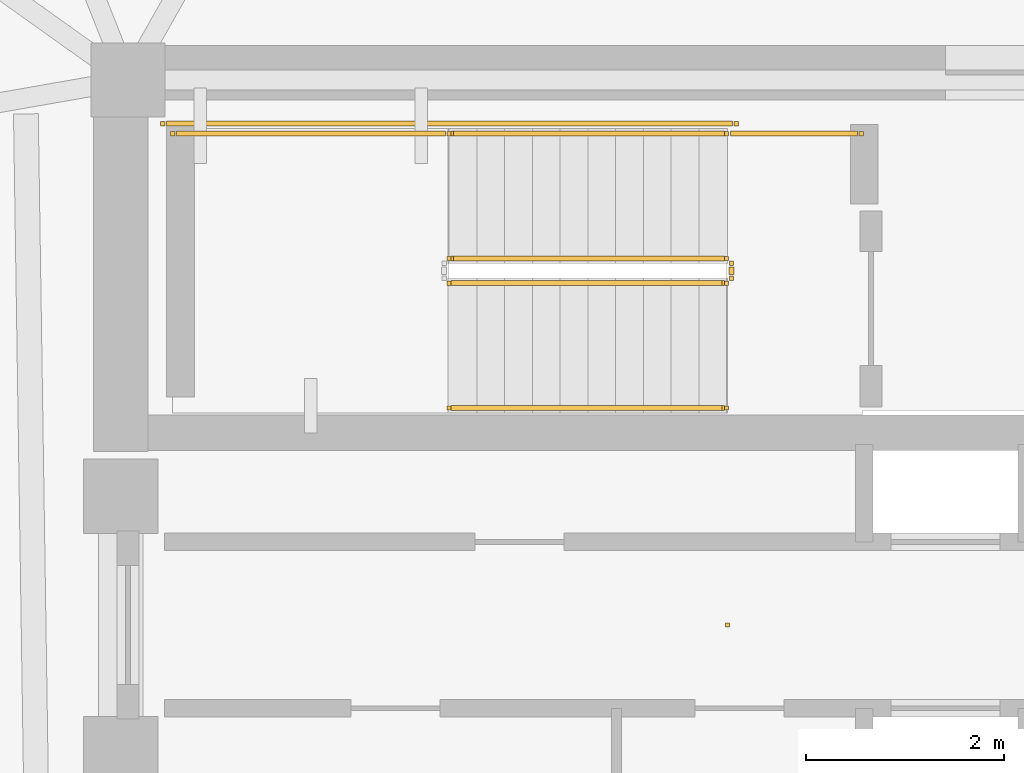
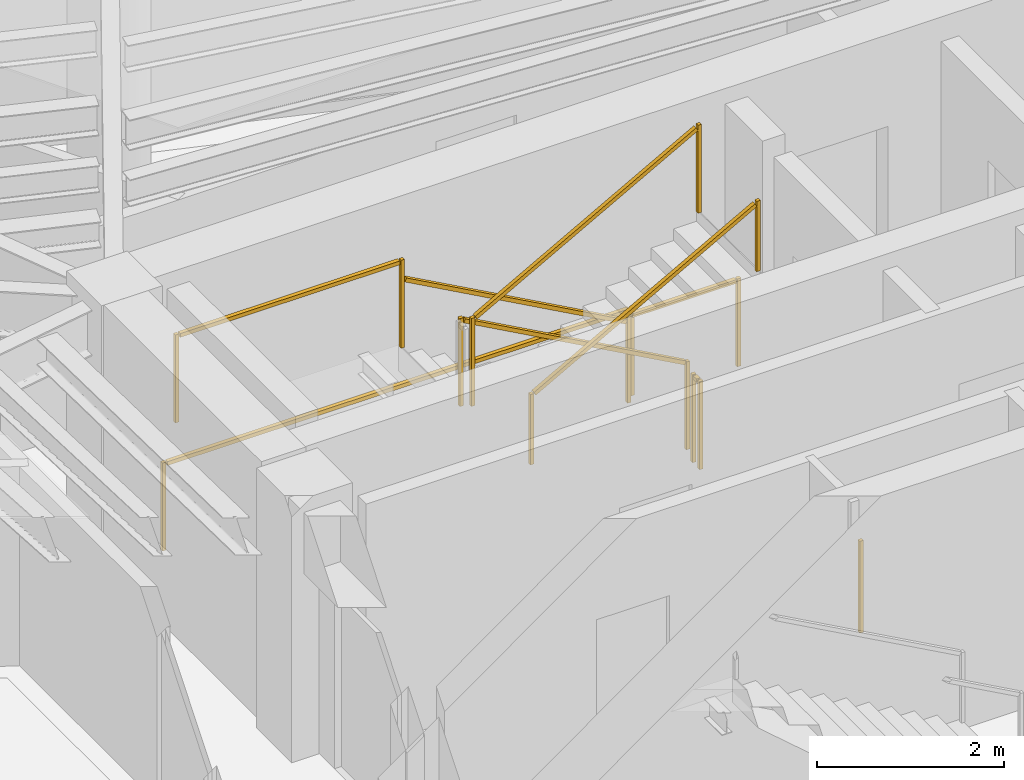
# One storey, part 8 of 9: 9 railings.
"""IFC4 building model written with IfcOpenShell, lengths in metres."""

from ifc_helpers import new_model, si_unit, direction, frame, origin, origin_2d, place, context, subcontext, project, spatial, rectangle, extrude, material, type_object, element, save


model = new_model("IFC4")

# Units and contexts
model_context = context("Model", 3, precision=1e-05, world=origin(), true_north=direction((0.0, 1.0)))
body_context = subcontext(model_context, "Body", "Model", "MODEL_VIEW")
ifc_project = project(units=[si_unit("LENGTHUNIT", "METRE"), si_unit("AREAUNIT", "SQUARE_METRE"), si_unit("VOLUMEUNIT", "CUBIC_METRE"), si_unit("PLANEANGLEUNIT", "RADIAN"), si_unit("MASSUNIT", "GRAM", prefix="KILO")], contexts=[model_context])

# Site, building, storey
site_placement = place(None, origin())
site = spatial("IfcSite", under=ifc_project, at=site_placement, CompositionType="ELEMENT")
building_placement = place(site_placement, origin())
building = spatial("IfcBuilding", under=site, at=building_placement, Name="Yunling Apex Tower", CompositionType="ELEMENT")
storey_placement = place(building_placement, frame((0.0, 0.0, 267.75)))
storey = spatial("IfcBuildingStorey", under=building, at=storey_placement, Name="L65", CompositionType="ELEMENT", Elevation=267.75)

# Railings
ifc_material_1 = material(Name="Bronze anodised aluminium", Category="aluminium")
railing_type_1 = type_object("IfcRailingType", Name="RL-BAL-1200", PredefinedType="BALUSTRADE", material=ifc_material_1)
railing_1_placement = place(storey_placement, origin())
element("IfcRailing", 1, at=railing_1_placement, inside=storey, type_object=railing_type_1, Name="RL-TATR-L65", PredefinedType="BALUSTRADE", context=body_context, shape_type="SweptSolid", body=[
    extrude(rectangle(XDim=0.0439453125, YDim=0.0439453125, at=origin_2d()), origin(), (0.0, 0.0, 1.0), 1.199951171875),
])
ifc_material_2 = material(Name="Steel Q355B", Category="steel")
railing_type_2 = type_object("IfcRailingType", Name="RL-GRD-1150", PredefinedType="GUARDRAIL", material=ifc_material_2)
railing_2_placement = place(storey_placement, frame((-0.010009765625, 3.699951171875, 0.154541015625)))
element("IfcRailing", 2, at=railing_2_placement, inside=storey, type_object=railing_type_2, Name="L65 ST-1 stair guard 1", PredefinedType="GUARDRAIL", context=body_context, shape_type="SweptSolid", body=[
    extrude(rectangle(XDim=0.0439453125, YDim=0.0439453125, at=origin_2d()), origin(), (0.0, 0.0, 1.0), 1.14990234375),
    extrude(rectangle(XDim=0.0439453125, YDim=0.0439453125, at=origin_2d()), frame((-2.800048828125, 0.0, 1.54541015625)), (0.0, 0.0, 1.0), 1.14990234375),
    extrude(rectangle(XDim=0.050048828125, YDim=0.050048828125, at=origin_2d()), frame((-0.033447265625, 0.0, 1.143310546875), z_axis=(-0.875504190374, 0.0, 0.483210526207), x_axis=(0.0, -1.0, 0.0)), (0.0, 0.0, 1.0), 3.12158203125),
])
railing_3_placement = place(storey_placement, frame((-2.81005859375, 4.9599609375, 1.699951171875)))
element("IfcRailing", 3, at=railing_3_placement, inside=storey, type_object=railing_type_2, Name="L65 ST-1 stair guard 3", PredefinedType="GUARDRAIL", context=body_context, shape_type="SweptSolid", body=[
    extrude(rectangle(XDim=0.0439453125, YDim=0.0439453125, at=origin_2d()), origin(), (0.0, 0.0, 1.0), 1.14990234375),
    extrude(rectangle(XDim=0.0439453125, YDim=0.0439453125, at=origin_2d()), frame((-2.7900390625, 0.0, 0.0)), (0.0, 0.0, 1.0), 1.14990234375),
    extrude(rectangle(XDim=0.050048828125, YDim=0.050048828125, at=origin_2d()), frame((-0.038330078125, 0.0, 1.125), z_axis=(-1.0, 0.0, 0.0), x_axis=(0.0, -1.0, 0.0)), (0.0, 0.0, 1.0), 2.71337890625),
])
railing_4_placement = place(storey_placement, frame((-2.81005859375, 3.449951171875, 1.8544921875)))
element("IfcRailing", 4, at=railing_4_placement, inside=storey, type_object=railing_type_2, Name="L65 ST-1 stair guard 4", PredefinedType="GUARDRAIL", context=body_context, shape_type="SweptSolid", body=[
    extrude(rectangle(XDim=0.0439453125, YDim=0.0439453125, at=origin_2d()), origin(), (0.0, 0.0, 1.0), 1.14990234375),
    extrude(rectangle(XDim=0.0439453125, YDim=0.0439453125, at=origin_2d()), frame((2.800048828125, 0.0, 1.54541015625)), (0.0, 0.0, 1.0), 1.14990234375),
    extrude(rectangle(XDim=0.050048828125, YDim=0.050048828125, at=origin_2d()), frame((0.033447265625, 0.0, 1.143310546875), z_axis=(0.875504190374, 0.0, 0.483210526207), x_axis=(0.0, 1.0, 0.0)), (0.0, 0.0, 1.0), 3.12158203125),
])
railing_5_placement = place(storey_placement, frame((0.0400390625, 3.64990234375, 0.0)))
element("IfcRailing", 5, at=railing_5_placement, inside=storey, type_object=railing_type_2, Name="L65 ST-1 stair guard 5", PredefinedType="GUARDRAIL", context=body_context, shape_type="SweptSolid", body=[
    extrude(rectangle(XDim=0.0439453125, YDim=0.0439453125, at=origin_2d()), origin(), (0.0, 0.0, 1.0), 1.14990234375),
    extrude(rectangle(XDim=0.0439453125, YDim=0.0439453125, at=origin_2d()), frame((0.0, -0.14990234375, 0.0)), (0.0, 0.0, 1.0), 1.14990234375),
    extrude(rectangle(XDim=0.050048828125, YDim=0.050048828125, at=origin_2d()), frame((0.0, -0.038330078125, 1.125), z_axis=(0.0, -1.0, 0.0), x_axis=(1.0, 0.0, 0.0)), (0.0, 0.0, 1.0), 0.0732421875),
])
railing_6_placement = place(storey_placement, frame((1.35009765625, 4.9599609375, 0.0)))
element("IfcRailing", 6, at=railing_6_placement, inside=storey, type_object=railing_type_2, Name="L65 ST-1 stair guard 6", PredefinedType="GUARDRAIL", context=body_context, shape_type="SweptSolid", body=[
    extrude(rectangle(XDim=0.0439453125, YDim=0.0439453125, at=origin_2d()), origin(), (0.0, 0.0, 1.0), 1.14990234375),
    extrude(rectangle(XDim=0.0439453125, YDim=0.0439453125, at=origin_2d()), frame((-1.360107421875, 0.0, 0.0)), (0.0, 0.0, 1.0), 1.14990234375),
    extrude(rectangle(XDim=0.050048828125, YDim=0.050048828125, at=origin_2d()), frame((-0.038330078125, 0.0, 1.125), z_axis=(-1.0, 0.0, 0.0), x_axis=(0.0, -1.0, 0.0)), (0.0, 0.0, 1.0), 1.283447265625),
])
railing_7_placement = place(storey_placement, frame((0.090087890625, 5.06005859375, 0.0)))
element("IfcRailing", 7, at=railing_7_placement, inside=storey, type_object=railing_type_2, Name="L65 ST-1 stair guard 7", PredefinedType="GUARDRAIL", context=body_context, shape_type="SweptSolid", body=[
    extrude(rectangle(XDim=0.0439453125, YDim=0.0439453125, at=origin_2d()), origin(), (0.0, 0.0, 1.0), 1.14990234375),
    extrude(rectangle(XDim=0.0439453125, YDim=0.0439453125, at=origin_2d()), frame((-5.7900390625, 0.0, 0.0)), (0.0, 0.0, 1.0), 1.14990234375),
    extrude(rectangle(XDim=0.050048828125, YDim=0.050048828125, at=origin_2d()), frame((-0.038330078125, 0.0, 1.125), z_axis=(-1.0, 0.0, 0.0), x_axis=(0.0, -1.0, 0.0)), (0.0, 0.0, 1.0), 5.71337890625),
])
ifc_material_3 = material(Name="Silver anodised aluminium", Category="aluminium")
railing_type_3 = type_object("IfcRailingType", Name="RL-HND-900", PredefinedType="HANDRAIL", material=ifc_material_3)
railing_8_placement = place(storey_placement, frame((-0.010009765625, 4.9599609375, 0.154541015625)))
element("IfcRailing", 8, at=railing_8_placement, inside=storey, type_object=railing_type_3, Name="L65 ST-1 stair handrail 1", PredefinedType="HANDRAIL", context=body_context, shape_type="SweptSolid", body=[
    extrude(rectangle(XDim=0.0439453125, YDim=0.0439453125, at=origin_2d()), origin(), (0.0, 0.0, 1.0), 0.919921875),
    extrude(rectangle(XDim=0.0439453125, YDim=0.0439453125, at=origin_2d()), frame((-2.800048828125, 0.0, 1.54541015625)), (0.0, 0.0, 1.0), 0.919921875),
    extrude(rectangle(XDim=0.050048828125, YDim=0.050048828125, at=origin_2d()), frame((-0.033447265625, 0.0, 0.913330078125), z_axis=(-0.875504190374, 0.0, 0.483210526207), x_axis=(0.0, -1.0, 0.0)), (0.0, 0.0, 1.0), 3.12158203125),
])
railing_9_placement = place(storey_placement, frame((-2.81005859375, 2.18994140625, 1.8544921875)))
element("IfcRailing", 9, at=railing_9_placement, inside=storey, type_object=railing_type_3, Name="L65 ST-1 stair handrail 2", PredefinedType="HANDRAIL", context=body_context, shape_type="SweptSolid", body=[
    extrude(rectangle(XDim=0.0439453125, YDim=0.0439453125, at=origin_2d()), origin(), (0.0, 0.0, 1.0), 0.919921875),
    extrude(rectangle(XDim=0.0439453125, YDim=0.0439453125, at=origin_2d()), frame((2.800048828125, 0.0, 1.54541015625)), (0.0, 0.0, 1.0), 0.919921875),
    extrude(rectangle(XDim=0.050048828125, YDim=0.050048828125, at=origin_2d()), frame((0.033447265625, 0.0, 0.913330078125), z_axis=(0.875504190374, 0.0, 0.483210526207), x_axis=(0.0, 1.0, 0.0)), (0.0, 0.0, 1.0), 3.12158203125),
])

save(model, "model.ifc")
